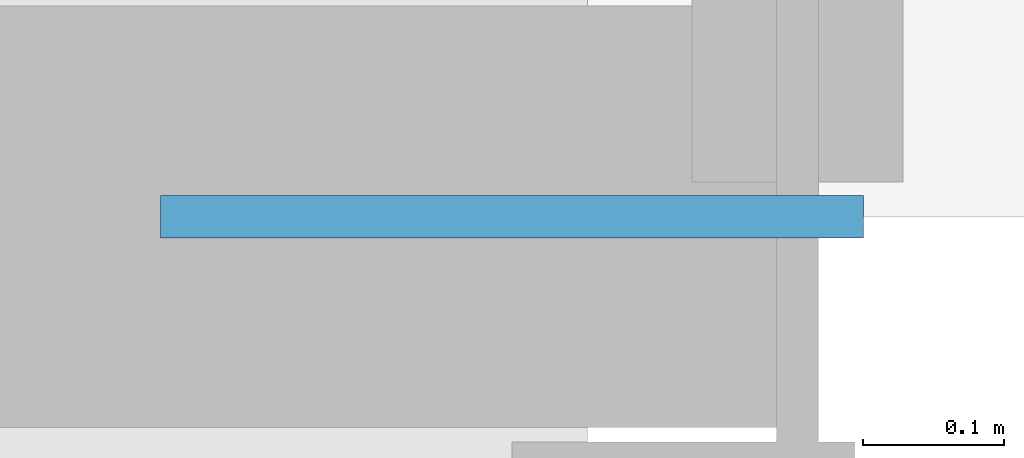
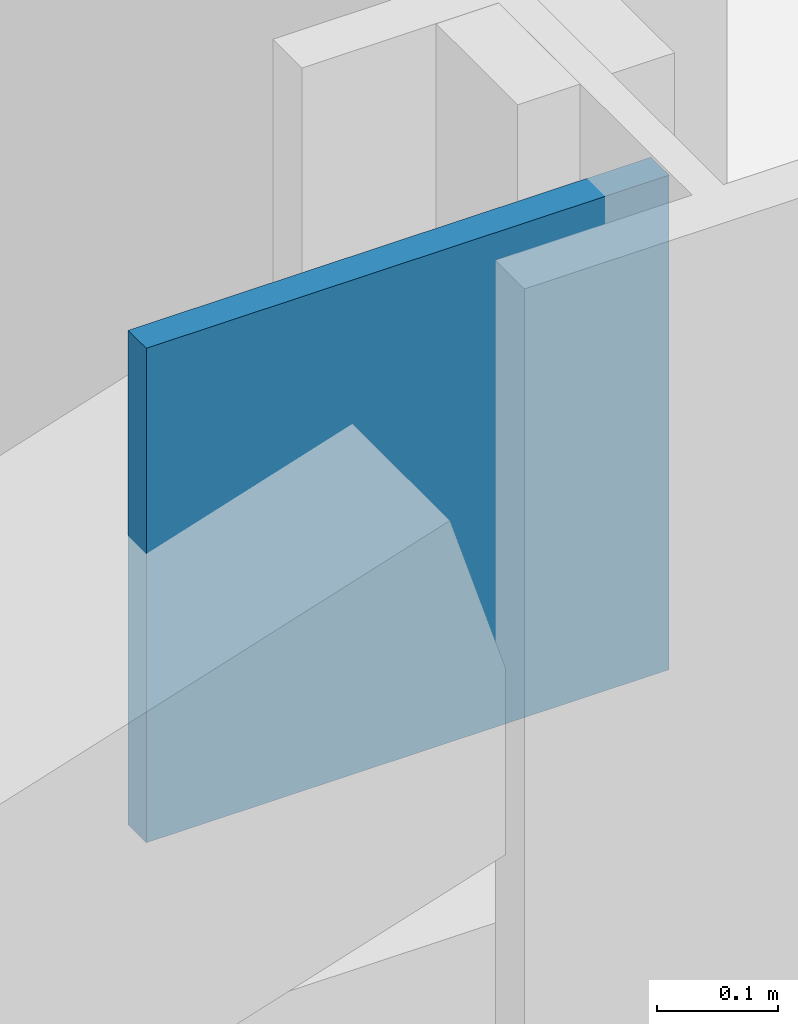
# One storey, part 18 of 27: 1 discrete accessory.
"""IFC4 building model written with IfcOpenShell, lengths in metres."""

from ifc_helpers import new_model, si_unit, direction, frame, origin, origin_2d, place, context, subcontext, project, spatial, rectangle, extrude, material, layer, layer_set, type_object, element, save


model = new_model("IFC4")

# Units and contexts
model_context = context("Model", 3, precision=1e-05, world=origin(), true_north=direction((0.0, 1.0)))
body_context = subcontext(model_context, "Body", "Model", "MODEL_VIEW")
ifc_project = project(units=[si_unit("LENGTHUNIT", "METRE"), si_unit("AREAUNIT", "SQUARE_METRE"), si_unit("VOLUMEUNIT", "CUBIC_METRE"), si_unit("PLANEANGLEUNIT", "RADIAN"), si_unit("MASSUNIT", "GRAM", prefix="KILO")], contexts=[model_context])

# Site, building, storey
site_placement = place(None, origin())
site = spatial("IfcSite", under=ifc_project, at=site_placement, CompositionType="ELEMENT")
building_placement = place(site_placement, origin())
building = spatial("IfcBuilding", under=site, at=building_placement, Name="Mahtab Terrace Research Tower", CompositionType="ELEMENT")
storey_placement = place(building_placement, frame((0.0, 0.0, 182.0)))
storey = spatial("IfcBuildingStorey", under=building, at=storey_placement, Name="L43", CompositionType="ELEMENT", Elevation=182.0)

# Discrete accessory
ifc_material = material(Name="Steel ASTM A992 Gr 50", Category="steel")
ifc_layer = layer(ifc_material, 0.030029296875)
ifc_layer_set = layer_set([ifc_layer], Name="Gusset plate 500x500x30")
discrete_accessory_type = type_object("IfcDiscreteAccessoryType", Name="Gusset plate 500x500x30", PredefinedType="USERDEFINED", material=ifc_layer_set)
discrete_accessory_placement = place(storey_placement, frame((5.796875, -23.0, 2.870361328125), z_axis=(0.0, 0.0, 1.0), x_axis=(1.0, 0.0, 0.0)))
element("IfcDiscreteAccessory", 1, at=discrete_accessory_placement, inside=storey, type_object=discrete_accessory_type, Name="Gusset plate", ObjectType="GUSSET PLATE", PredefinedType="USERDEFINED", context=body_context, shape_type="SweptSolid", body=[
    extrude(rectangle(XDim=0.5, YDim=0.030029296875, at=origin_2d()), origin(), (0.0, 0.0, 1.0), 0.5),
])

save(model, "model.ifc")
